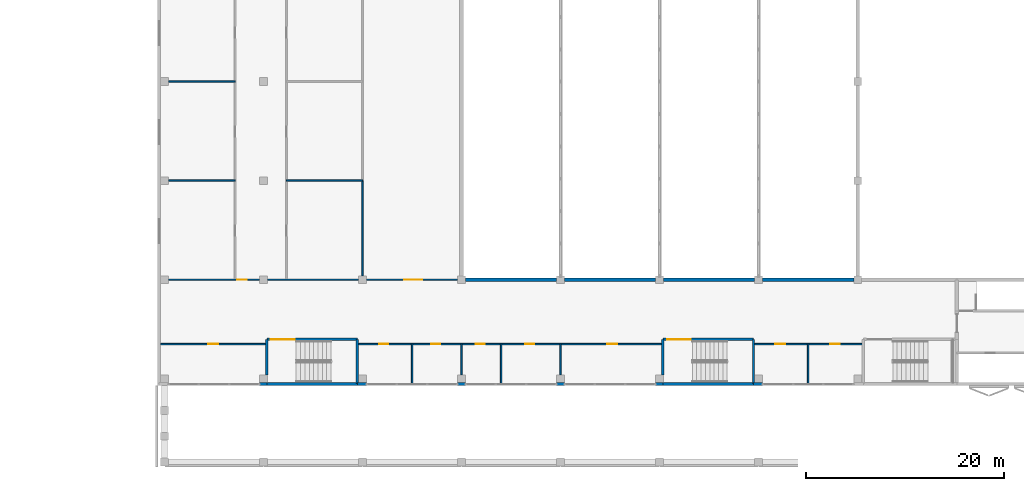
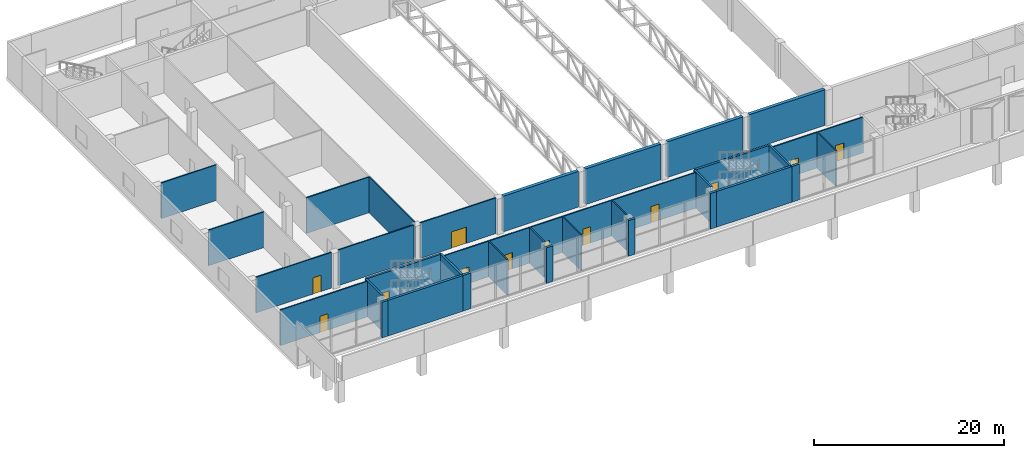
# One storey, part 16 of 36: 33 walls, 12 doors, 12 openings.
"""IFC4 building model written with IfcOpenShell, lengths in metres."""

from ifc_helpers import new_model, si_unit, direction, frame, frame_2d, origin, place, context, subcontext, project, spatial, rectangle, extrude, material, layer, layer_set, type_object, element, fill, save


model = new_model("IFC4")

# Units and contexts
model_context = context("Model", 3, precision=1e-05, world=origin(), true_north=direction((0.0, 1.0)))
body_context = subcontext(model_context, "Body", "Model", "MODEL_VIEW")
ifc_project = project(units=[si_unit("LENGTHUNIT", "METRE"), si_unit("AREAUNIT", "SQUARE_METRE"), si_unit("VOLUMEUNIT", "CUBIC_METRE"), si_unit("PLANEANGLEUNIT", "RADIAN"), si_unit("MASSUNIT", "GRAM", prefix="KILO")], contexts=[model_context])

# Site, building, storey
site_placement = place(None, origin())
site = spatial("IfcSite", under=ifc_project, at=site_placement, CompositionType="ELEMENT")
building_placement = place(site_placement, origin())
building = spatial("IfcBuilding", under=site, at=building_placement, Name="Jabali Bay Hotel Tower and Convention Centre", CompositionType="ELEMENT")
storey_placement = place(building_placement, frame((0.0, 0.0, 20.39990234375)))
storey = spatial("IfcBuildingStorey", under=building, at=storey_placement, Name="L03", CompositionType="ELEMENT", Elevation=20.39990234375)

# Walls
ifc_material_1 = material(Name="Concrete C40", Category="concrete")
ifc_layer_1 = layer(ifc_material_1, 0.300048828125)
ifc_layer_set_1 = layer_set([ifc_layer_1], Name="Concrete C40")
wall_type_1 = type_object("IfcWallType", Name="CC External Wall 300", PredefinedType="SOLIDWALL", material=ifc_layer_set_1)
wall_1_placement = place(storey_placement, frame((160.300048828125, 49.449951171875, 0.0), z_axis=(0.0, 0.0, 1.0), x_axis=(1.0, 0.0, 0.0)))
element("IfcWall", 1, at=wall_1_placement, inside=storey, type_object=wall_type_1, Name="CC wall 311", PredefinedType="SOLIDWALL", context=body_context, shape_type="SweptSolid", body=[
    extrude(rectangle(XDim=0.724853515625, YDim=0.300048828125, at=frame_2d((0.3623046875, 0.0))), origin(), (0.0, 0.0, 1.0), 4.590087890625),
])
wall_2_placement = place(storey_placement, frame((161.02490234375, 49.449951171875, 0.0), z_axis=(0.0, 0.0, 1.0), x_axis=(1.0, 0.0, 0.0)))
element("IfcWall", 2, at=wall_2_placement, inside=storey, type_object=wall_type_1, Name="CC wall 312", PredefinedType="SOLIDWALL", context=body_context, shape_type="SweptSolid", body=[
    extrude(rectangle(XDim=9.150146484375, YDim=0.300048828125, at=frame_2d((4.5751953125, 0.0))), origin(), (0.0, 0.0, 1.0), 4.590087890625),
])
wall_3_placement = place(storey_placement, frame((170.175048828125, 49.449951171875, 0.0), z_axis=(0.0, 0.0, 1.0), x_axis=(1.0, 0.0, 0.0)))
element("IfcWall", 3, at=wall_3_placement, inside=storey, type_object=wall_type_1, Name="CC wall 313", PredefinedType="SOLIDWALL", context=body_context, shape_type="SweptSolid", body=[
    extrude(rectangle(XDim=0.925048828125, YDim=0.300048828125, at=frame_2d((0.46240234375, 0.0))), origin(), (0.0, 0.0, 1.0), 4.590087890625),
])
for number, where, z_axis, x_axis, name in (
    (4, (180.300048828125, 49.449951171875, 0.0), (0.0, 0.0, 1.0), (1.0, 0.0, 0.0), "CC wall 314"),
    (5, (190.300048828125, 49.449951171875, 0.0), (0.0, 0.0, 1.0), (1.0, 0.0, 0.0), "CC wall 315"),
):
    element("IfcWall", number, at=place(storey_placement, frame(where, z_axis=z_axis, x_axis=x_axis)), inside=storey, type_object=wall_type_1, Name=name, PredefinedType="SOLIDWALL", context=body_context, shape_type="SweptSolid", body=[
        extrude(rectangle(XDim=0.800048828125, YDim=0.300048828125, at=frame_2d((0.39990234375, 0.0))), origin(), (0.0, 0.0, 1.0), 4.590087890625),
    ])
wall_4_placement = place(storey_placement, frame((200.300048828125, 49.449951171875, 0.0), z_axis=(0.0, 0.0, 1.0), x_axis=(1.0, 0.0, 0.0)))
element("IfcWall", 6, at=wall_4_placement, inside=storey, type_object=wall_type_1, Name="CC wall 316", PredefinedType="SOLIDWALL", context=body_context, shape_type="SweptSolid", body=[
    extrude(rectangle(XDim=0.724853515625, YDim=0.300048828125, at=frame_2d((0.3623046875, 0.0))), origin(), (0.0, 0.0, 1.0), 4.590087890625),
])
wall_5_placement = place(storey_placement, frame((201.02490234375, 49.449951171875, 0.0), z_axis=(0.0, 0.0, 1.0), x_axis=(1.0, 0.0, 0.0)))
element("IfcWall", 7, at=wall_5_placement, inside=storey, type_object=wall_type_1, Name="CC wall 317", PredefinedType="SOLIDWALL", context=body_context, shape_type="SweptSolid", body=[
    extrude(rectangle(XDim=9.150146484375, YDim=0.300048828125, at=frame_2d((4.5751953125, 0.0))), origin(), (0.0, 0.0, 1.0), 4.590087890625),
])
wall_6_placement = place(storey_placement, frame((210.175048828125, 49.449951171875, 0.0), z_axis=(0.0, 0.0, 1.0), x_axis=(1.0, 0.0, 0.0)))
element("IfcWall", 8, at=wall_6_placement, inside=storey, type_object=wall_type_1, Name="CC wall 318", PredefinedType="SOLIDWALL", context=body_context, shape_type="SweptSolid", body=[
    extrude(rectangle(XDim=0.925048828125, YDim=0.300048828125, at=frame_2d((0.46240234375, 0.0))), origin(), (0.0, 0.0, 1.0), 4.590087890625),
])
ifc_layer_2 = layer(ifc_material_1, 0.39990234375)
ifc_layer_set_2 = layer_set([ifc_layer_2], Name="Concrete C40")
wall_type_2 = type_object("IfcWallType", Name="CC Hall Wall 400", PredefinedType="SHEAR", material=ifc_layer_set_2)
for number, where, z_axis, x_axis, name in (
    (9, (181.10009765625, 60.0, 0.0), (0.0, 0.0, 1.0), (1.0, 0.0, 0.0), "CC ballroom wall"),
    (10, (191.10009765625, 60.0, 0.0), (0.0, 0.0, 1.0), (1.0, 0.0, 0.0), "CC ballroom wall"),
    (11, (201.10009765625, 60.0, 0.0), (0.0, 0.0, 1.0), (1.0, 0.0, 0.0), "CC ballroom wall"),
    (12, (211.10009765625, 60.0, 0.0), (0.0, 0.0, 1.0), (1.0, 0.0, 0.0), "CC ballroom wall"),
):
    element("IfcWall", number, at=place(storey_placement, frame(where, z_axis=z_axis, x_axis=x_axis)), inside=storey, type_object=wall_type_2, Name=name, PredefinedType="SHEAR", context=body_context, shape_type="SweptSolid", body=[
        extrude(rectangle(XDim=9.199951171875, YDim=0.39990234375, at=frame_2d((4.60009765625, 0.0))), origin(), (0.0, 0.0, 1.0), 4.590087890625),
    ])

# Wall, opening, door
ifc_material_2 = material(Name="Blockwork M10", Category="masonry")
ifc_layer_3 = layer(ifc_material_2, 0.14990234375)
ifc_layer_set_3 = layer_set([ifc_layer_3], Name="Blockwork M10")
wall_type_3 = type_object("IfcWallType", Name="CC Partition 150", PredefinedType="PARTITIONING", material=ifc_layer_set_3)
wall_7_placement = place(storey_placement, frame((150.300048828125, 53.5, 0.0), z_axis=(0.0, 0.0, 1.0), x_axis=(1.0, 0.0, 0.0)))
wall_7 = element("IfcWall", 13, at=wall_7_placement, inside=storey, type_object=wall_type_3, Name="CC wall 458", PredefinedType="PARTITIONING", context=body_context, shape_type="SweptSolid", body=[
    extrude(rectangle(XDim=10.724853515625, YDim=0.14990234375, at=frame_2d((5.3623046875, 0.0))), origin(), (0.0, 0.0, 1.0), 4.590087890625),
])
opening_1_placement = place(wall_7_placement, frame((4.800048828125, 0.0, 0.0)))
opening_1 = element("IfcOpeningElement", 14, at=opening_1_placement, cuts=wall_7, Name="Opening CC-D050", PredefinedType="OPENING", context=body_context, shape_type="SweptSolid", body=[
    extrude(rectangle(XDim=1.0, YDim=2.10009765625, at=frame_2d((0.5, 1.050048828125))), frame((0.0, 0.08544921875, 0.0), z_axis=(0.0, -1.0, 0.0), x_axis=(1.0, 0.0, 0.0)), (0.0, 0.0, 1.0), 0.1708984375),
])
ifc_material_3 = material(Name="Timber and steel door set", Category="steel")
door_type_1 = type_object("IfcDoorType", Name="CC Single Door 1000x2100", OperationType="NOTDEFINED", PredefinedType="DOOR", material=ifc_material_3)
door_1_placement = place(opening_1_placement, origin())
door_1 = element("IfcDoor", 15, at=door_1_placement, inside=storey, type_object=door_type_1, Name="CC door CC-D050", OperationType="SINGLE_SWING_RIGHT", OverallHeight=2.10009765625, OverallWidth=1.0, PredefinedType="DOOR", context=body_context, shape_type="SweptSolid", body=[
    extrude(rectangle(XDim=1.0, YDim=2.10009765625, at=frame_2d((0.5, 1.050048828125))), frame((0.0, 0.02490234375, 0.0), z_axis=(0.0, -1.0, 0.0), x_axis=(1.0, 0.0, 0.0)), (0.0, 0.0, 1.0), 0.050048828125),
])
fill(opening_1, door_1)

# Wall, openings, doors
wall_8_placement = place(storey_placement, frame((170.175048828125, 53.5, 0.0), z_axis=(0.0, 0.0, 1.0), x_axis=(1.0, 0.0, 0.0)))
wall_8 = element("IfcWall", 16, at=wall_8_placement, inside=storey, type_object=wall_type_3, Name="CC wall 459", PredefinedType="PARTITIONING", context=body_context, shape_type="SweptSolid", body=[
    extrude(rectangle(XDim=30.849853515625, YDim=0.14990234375, at=frame_2d((15.4248046875, 0.0))), origin(), (0.0, 0.0, 1.0), 4.590087890625),
])
opening_2_placement = place(wall_8_placement, frame((11.97509765625, 0.0, 0.0)))
opening_2 = element("IfcOpeningElement", 17, at=opening_2_placement, cuts=wall_8, Name="Opening CC-D048", PredefinedType="OPENING", context=body_context, shape_type="SweptSolid", body=[
    extrude(rectangle(XDim=0.89990234375, YDim=2.10009765625, at=frame_2d((0.449951171875, 1.050048828125))), frame((0.0, 0.08544921875, 0.0), z_axis=(0.0, -1.0, 0.0), x_axis=(1.0, 0.0, 0.0)), (0.0, 0.0, 1.0), 0.1708984375),
])
opening_3_placement = place(wall_8_placement, frame((16.97509765625, 0.0, 0.0)))
opening_3 = element("IfcOpeningElement", 18, at=opening_3_placement, cuts=wall_8, Name="Opening CC-D049", PredefinedType="OPENING", context=body_context, shape_type="SweptSolid", body=[
    extrude(rectangle(XDim=0.89990234375, YDim=2.10009765625, at=frame_2d((0.449951171875, 1.050048828125))), frame((0.0, 0.08544921875, 0.0), z_axis=(0.0, -1.0, 0.0), x_axis=(1.0, 0.0, 0.0)), (0.0, 0.0, 1.0), 0.1708984375),
])
opening_4_placement = place(wall_8_placement, frame((25.22509765625, 0.0, 0.0)))
opening_4 = element("IfcOpeningElement", 19, at=opening_4_placement, cuts=wall_8, Name="Opening CC-D051", PredefinedType="OPENING", context=body_context, shape_type="SweptSolid", body=[
    extrude(rectangle(XDim=1.0, YDim=2.10009765625, at=frame_2d((0.5, 1.050048828125))), frame((0.0, 0.08544921875, 0.0), z_axis=(0.0, -1.0, 0.0), x_axis=(1.0, 0.0, 0.0)), (0.0, 0.0, 1.0), 0.1708984375),
])
opening_5_placement = place(wall_8_placement, frame((7.47509765625, 0.0, 0.0)))
opening_5 = element("IfcOpeningElement", 20, at=opening_5_placement, cuts=wall_8, Name="Opening CC-D052", PredefinedType="OPENING", context=body_context, shape_type="SweptSolid", body=[
    extrude(rectangle(XDim=0.89990234375, YDim=2.10009765625, at=frame_2d((0.449951171875, 1.050048828125))), frame((0.0, 0.08544921875, 0.0), z_axis=(0.0, -1.0, 0.0), x_axis=(1.0, 0.0, 0.0)), (0.0, 0.0, 1.0), 0.1708984375),
])
opening_6_placement = place(wall_8_placement, frame((2.199951171875, 0.0, 0.0)))
opening_6 = element("IfcOpeningElement", 21, at=opening_6_placement, cuts=wall_8, Name="Opening CC-D055", PredefinedType="OPENING", context=body_context, shape_type="SweptSolid", body=[
    extrude(rectangle(XDim=0.89990234375, YDim=2.10009765625, at=frame_2d((0.449951171875, 1.050048828125))), frame((0.0, 0.08544921875, 0.0), z_axis=(0.0, -1.0, 0.0), x_axis=(1.0, 0.0, 0.0)), (0.0, 0.0, 1.0), 0.1708984375),
])
door_type_2 = type_object("IfcDoorType", Name="CC Riser Door 900x2100", OperationType="NOTDEFINED", PredefinedType="DOOR", material=ifc_material_3)
door_2_placement = place(opening_3_placement, origin())
door_2 = element("IfcDoor", 22, at=door_2_placement, inside=storey, type_object=door_type_2, Name="CC door CC-D049", OperationType="SINGLE_SWING_LEFT", OverallHeight=2.10009765625, OverallWidth=0.89990234375, PredefinedType="DOOR", context=body_context, shape_type="SweptSolid", body=[
    extrude(rectangle(XDim=0.89990234375, YDim=2.10009765625, at=frame_2d((0.449951171875, 1.050048828125))), frame((0.0, 0.02490234375, 0.0), z_axis=(0.0, -1.0, 0.0), x_axis=(1.0, 0.0, 0.0)), (0.0, 0.0, 1.0), 0.050048828125),
])
fill(opening_3, door_2)
door_3_placement = place(opening_4_placement, origin())
door_3 = element("IfcDoor", 23, at=door_3_placement, inside=storey, type_object=door_type_1, Name="CC door CC-D051", OperationType="SINGLE_SWING_LEFT", OverallHeight=2.10009765625, OverallWidth=1.0, PredefinedType="DOOR", context=body_context, shape_type="SweptSolid", body=[
    extrude(rectangle(XDim=1.0, YDim=2.10009765625, at=frame_2d((0.5, 1.050048828125))), frame((0.0, 0.02490234375, 0.0), z_axis=(0.0, -1.0, 0.0), x_axis=(1.0, 0.0, 0.0)), (0.0, 0.0, 1.0), 0.050048828125),
])
fill(opening_4, door_3)
door_type_3 = type_object("IfcDoorType", Name="CC Single Door 900x2100", OperationType="NOTDEFINED", PredefinedType="DOOR", material=ifc_material_3)
door_4_placement = place(opening_2_placement, origin())
door_4 = element("IfcDoor", 24, at=door_4_placement, inside=storey, type_object=door_type_3, Name="CC door CC-D048", OperationType="SINGLE_SWING_RIGHT", OverallHeight=2.10009765625, OverallWidth=0.89990234375, PredefinedType="DOOR", context=body_context, shape_type="SweptSolid", body=[
    extrude(rectangle(XDim=0.89990234375, YDim=2.10009765625, at=frame_2d((0.449951171875, 1.050048828125))), frame((0.0, 0.02490234375, 0.0), z_axis=(0.0, -1.0, 0.0), x_axis=(1.0, 0.0, 0.0)), (0.0, 0.0, 1.0), 0.050048828125),
])
fill(opening_2, door_4)
door_5_placement = place(opening_5_placement, origin())
door_5 = element("IfcDoor", 25, at=door_5_placement, inside=storey, type_object=door_type_3, Name="CC door CC-D052", OperationType="SINGLE_SWING_RIGHT", OverallHeight=2.10009765625, OverallWidth=0.89990234375, PredefinedType="DOOR", context=body_context, shape_type="SweptSolid", body=[
    extrude(rectangle(XDim=0.89990234375, YDim=2.10009765625, at=frame_2d((0.449951171875, 1.050048828125))), frame((0.0, 0.02490234375, 0.0), z_axis=(0.0, -1.0, 0.0), x_axis=(1.0, 0.0, 0.0)), (0.0, 0.0, 1.0), 0.050048828125),
])
fill(opening_5, door_5)
door_6_placement = place(opening_6_placement, origin())
door_6 = element("IfcDoor", 26, at=door_6_placement, inside=storey, type_object=door_type_3, Name="CC door CC-D055", OperationType="SINGLE_SWING_LEFT", OverallHeight=2.10009765625, OverallWidth=0.89990234375, PredefinedType="DOOR", context=body_context, shape_type="SweptSolid", body=[
    extrude(rectangle(XDim=0.89990234375, YDim=2.10009765625, at=frame_2d((0.449951171875, 1.050048828125))), frame((0.0, 0.02490234375, 0.0), z_axis=(0.0, -1.0, 0.0), x_axis=(1.0, 0.0, 0.0)), (0.0, 0.0, 1.0), 0.050048828125),
])
fill(opening_6, door_6)

wall_9_placement = place(storey_placement, frame((210.175048828125, 53.5, 0.0), z_axis=(0.0, 0.0, 1.0), x_axis=(1.0, 0.0, 0.0)))
wall_9 = element("IfcWall", 27, at=wall_9_placement, inside=storey, type_object=wall_type_3, Name="CC wall 460", PredefinedType="PARTITIONING", context=body_context, shape_type="SweptSolid", body=[
    extrude(rectangle(XDim=11.099853515625, YDim=0.14990234375, at=frame_2d((5.5498046875, 0.0))), origin(), (0.0, 0.0, 1.0), 4.590087890625),
])
opening_7_placement = place(wall_9_placement, frame((2.199951171875, 0.0, 0.0)))
opening_7 = element("IfcOpeningElement", 28, at=opening_7_placement, cuts=wall_9, Name="Opening CC-D053", PredefinedType="OPENING", context=body_context, shape_type="SweptSolid", body=[
    extrude(rectangle(XDim=1.0, YDim=2.10009765625, at=frame_2d((0.5, 1.050048828125))), frame((0.0, 0.08544921875, 0.0), z_axis=(0.0, -1.0, 0.0), x_axis=(1.0, 0.0, 0.0)), (0.0, 0.0, 1.0), 0.1708984375),
])
opening_8_placement = place(wall_9_placement, frame((7.72509765625, 0.0, 0.0)))
opening_8 = element("IfcOpeningElement", 29, at=opening_8_placement, cuts=wall_9, Name="Opening CC-D054", PredefinedType="OPENING", context=body_context, shape_type="SweptSolid", body=[
    extrude(rectangle(XDim=1.0, YDim=2.10009765625, at=frame_2d((0.5, 1.050048828125))), frame((0.0, 0.08544921875, 0.0), z_axis=(0.0, -1.0, 0.0), x_axis=(1.0, 0.0, 0.0)), (0.0, 0.0, 1.0), 0.1708984375),
])
door_7_placement = place(opening_7_placement, origin())
door_7 = element("IfcDoor", 30, at=door_7_placement, inside=storey, type_object=door_type_1, Name="CC door CC-D053", OperationType="SINGLE_SWING_LEFT", OverallHeight=2.10009765625, OverallWidth=1.0, PredefinedType="DOOR", context=body_context, shape_type="SweptSolid", body=[
    extrude(rectangle(XDim=1.0, YDim=2.10009765625, at=frame_2d((0.5, 1.050048828125))), frame((0.0, 0.02490234375, 0.0), z_axis=(0.0, -1.0, 0.0), x_axis=(1.0, 0.0, 0.0)), (0.0, 0.0, 1.0), 0.050048828125),
])
fill(opening_7, door_7)
door_8_placement = place(opening_8_placement, origin())
door_8 = element("IfcDoor", 31, at=door_8_placement, inside=storey, type_object=door_type_1, Name="CC door CC-D054", OperationType="SINGLE_SWING_RIGHT", OverallHeight=2.10009765625, OverallWidth=1.0, PredefinedType="DOOR", context=body_context, shape_type="SweptSolid", body=[
    extrude(rectangle(XDim=1.0, YDim=2.10009765625, at=frame_2d((0.5, 1.050048828125))), frame((0.0, 0.02490234375, 0.0), z_axis=(0.0, -1.0, 0.0), x_axis=(1.0, 0.0, 0.0)), (0.0, 0.0, 1.0), 0.050048828125),
])
fill(opening_8, door_8)

# Wall, opening, door
wall_10_placement = place(storey_placement, frame((160.300048828125, 60.0, 0.0), z_axis=(0.0, 0.0, 1.0), x_axis=(-1.0, 0.0, 0.0)))
wall_10 = element("IfcWall", 32, at=wall_10_placement, inside=storey, type_object=wall_type_3, Name="CC wall 461", PredefinedType="PARTITIONING", context=body_context, shape_type="SweptSolid", body=[
    extrude(rectangle(XDim=9.199951171875, YDim=0.14990234375, at=frame_2d((4.60009765625, 0.0))), origin(), (0.0, 0.0, 1.0), 4.590087890625),
])
opening_9_placement = place(wall_10_placement, frame((1.27490234375, 0.0, 0.0)))
opening_9 = element("IfcOpeningElement", 33, at=opening_9_placement, cuts=wall_10, Name="Opening CC-D056", PredefinedType="OPENING", context=body_context, shape_type="SweptSolid", body=[
    extrude(rectangle(XDim=1.0, YDim=2.10009765625, at=frame_2d((0.5, 1.050048828125))), frame((0.0, 0.08544921875, 0.0), z_axis=(0.0, -1.0, 0.0), x_axis=(1.0, 0.0, 0.0)), (0.0, 0.0, 1.0), 0.1708984375),
])
door_9_placement = place(opening_9_placement, origin())
door_9 = element("IfcDoor", 34, at=door_9_placement, inside=storey, type_object=door_type_1, Name="CC door CC-D056", OperationType="SINGLE_SWING_RIGHT", OverallHeight=2.10009765625, OverallWidth=1.0, PredefinedType="DOOR", context=body_context, shape_type="SweptSolid", body=[
    extrude(rectangle(XDim=1.0, YDim=2.10009765625, at=frame_2d((0.5, 1.050048828125))), frame((0.0, 0.02490234375, 0.0), z_axis=(0.0, -1.0, 0.0), x_axis=(1.0, 0.0, 0.0)), (0.0, 0.0, 1.0), 0.050048828125),
])
fill(opening_9, door_9)

# Wall
wall_11_placement = place(storey_placement, frame((161.10009765625, 60.0, 0.0), z_axis=(0.0, 0.0, 1.0), x_axis=(1.0, 0.0, 0.0)))
element("IfcWall", 35, at=wall_11_placement, inside=storey, type_object=wall_type_3, Name="CC wall 462", PredefinedType="PARTITIONING", context=body_context, shape_type="SweptSolid", body=[
    extrude(rectangle(XDim=9.199951171875, YDim=0.14990234375, at=frame_2d((4.60009765625, 0.0))), origin(), (0.0, 0.0, 1.0), 4.590087890625),
])

# Wall, opening, door
wall_12_placement = place(storey_placement, frame((180.300048828125, 60.0, 0.0), z_axis=(0.0, 0.0, 1.0), x_axis=(-1.0, 0.0, 0.0)))
wall_12 = element("IfcWall", 36, at=wall_12_placement, inside=storey, type_object=wall_type_3, Name="CC wall 463", PredefinedType="PARTITIONING", context=body_context, shape_type="SweptSolid", body=[
    extrude(rectangle(XDim=9.199951171875, YDim=0.14990234375, at=frame_2d((4.60009765625, 0.0))), origin(), (0.0, 0.0, 1.0), 4.590087890625),
])
opening_10_placement = place(wall_12_placement, frame((3.60009765625, 0.0, 0.0)))
opening_10 = element("IfcOpeningElement", 37, at=opening_10_placement, cuts=wall_12, Name="Opening CC-D125", PredefinedType="OPENING", context=body_context, shape_type="SweptSolid", body=[
    extrude(rectangle(XDim=1.800048828125, YDim=2.10009765625, at=frame_2d((0.89990234375, 1.050048828125))), frame((0.0, 0.08544921875, 0.0), z_axis=(0.0, -1.0, 0.0), x_axis=(1.0, 0.0, 0.0)), (0.0, 0.0, 1.0), 0.1708984375),
])
door_type_4 = type_object("IfcDoorType", Name="CC Double Door 1800x2100", OperationType="NOTDEFINED", PredefinedType="DOOR", material=ifc_material_3)
door_10_placement = place(opening_10_placement, origin())
door_10 = element("IfcDoor", 38, at=door_10_placement, inside=storey, type_object=door_type_4, Name="CC door CC-D125", OperationType="DOUBLE_DOOR_SINGLE_SWING", OverallHeight=2.10009765625, OverallWidth=1.800048828125, PredefinedType="DOOR", context=body_context, shape_type="SweptSolid", body=[
    extrude(rectangle(XDim=1.800048828125, YDim=2.10009765625, at=frame_2d((0.89990234375, 1.050048828125))), frame((0.0, 0.02490234375, 0.0), z_axis=(0.0, -1.0, 0.0), x_axis=(1.0, 0.0, 0.0)), (0.0, 0.0, 1.0), 0.050048828125),
])
fill(opening_10, door_10)

# Walls
wall_13_placement = place(storey_placement, frame((175.699951171875, 49.5, 0.0), z_axis=(0.0, 0.0, 1.0), x_axis=(0.0, 1.0, 0.0)))
element("IfcWall", 39, at=wall_13_placement, inside=storey, type_object=wall_type_3, Name="CC wall 472", PredefinedType="PARTITIONING", context=body_context, shape_type="SweptSolid", body=[
    extrude(rectangle(XDim=4.0, YDim=0.14990234375, at=frame_2d((2.0, 0.0))), origin(), (0.0, 0.0, 1.0), 4.590087890625),
])
wall_14_placement = place(storey_placement, frame((180.699951171875, 50.39990234375, 0.0), z_axis=(0.0, 0.0, 1.0), x_axis=(0.0, 1.0, 0.0)))
element("IfcWall", 40, at=wall_14_placement, inside=storey, type_object=wall_type_3, Name="CC wall 473", PredefinedType="PARTITIONING", context=body_context, shape_type="SweptSolid", body=[
    extrude(rectangle(XDim=3.10009765625, YDim=0.14990234375, at=frame_2d((1.550048828125, 0.0))), origin(), (0.0, 0.0, 1.0), 4.590087890625),
])
wall_15_placement = place(storey_placement, frame((184.699951171875, 49.5, 0.0), z_axis=(0.0, 0.0, 1.0), x_axis=(0.0, 1.0, 0.0)))
element("IfcWall", 41, at=wall_15_placement, inside=storey, type_object=wall_type_3, Name="CC wall 474", PredefinedType="PARTITIONING", context=body_context, shape_type="SweptSolid", body=[
    extrude(rectangle(XDim=4.0, YDim=0.14990234375, at=frame_2d((2.0, 0.0))), origin(), (0.0, 0.0, 1.0), 4.590087890625),
])
wall_16_placement = place(storey_placement, frame((190.699951171875, 50.39990234375, 0.0), z_axis=(0.0, 0.0, 1.0), x_axis=(0.0, 1.0, 0.0)))
element("IfcWall", 42, at=wall_16_placement, inside=storey, type_object=wall_type_3, Name="CC wall 475", PredefinedType="PARTITIONING", context=body_context, shape_type="SweptSolid", body=[
    extrude(rectangle(XDim=3.10009765625, YDim=0.14990234375, at=frame_2d((1.550048828125, 0.0))), origin(), (0.0, 0.0, 1.0), 4.590087890625),
])
wall_17_placement = place(storey_placement, frame((215.699951171875, 49.5, 0.0), z_axis=(0.0, 0.0, 1.0), x_axis=(0.0, 1.0, 0.0)))
element("IfcWall", 43, at=wall_17_placement, inside=storey, type_object=wall_type_3, Name="CC wall 476", PredefinedType="PARTITIONING", context=body_context, shape_type="SweptSolid", body=[
    extrude(rectangle(XDim=4.0, YDim=0.14990234375, at=frame_2d((2.0, 0.0))), origin(), (0.0, 0.0, 1.0), 4.590087890625),
])
wall_18_placement = place(storey_placement, frame((151.10009765625, 70.0, 0.0), z_axis=(0.0, 0.0, 1.0), x_axis=(1.0, 0.0, 0.0)))
element("IfcWall", 44, at=wall_18_placement, inside=storey, type_object=wall_type_3, Name="CC wall 479", PredefinedType="PARTITIONING", context=body_context, shape_type="SweptSolid", body=[
    extrude(rectangle(XDim=6.724853515625, YDim=0.14990234375, at=frame_2d((3.3623046875, 0.0))), origin(), (0.0, 0.0, 1.0), 4.590087890625),
])
wall_19_placement = place(storey_placement, frame((163.0, 70.0, 0.0), z_axis=(0.0, 0.0, 1.0), x_axis=(1.0, 0.0, 0.0)))
element("IfcWall", 45, at=wall_19_placement, inside=storey, type_object=wall_type_3, Name="CC wall 480", PredefinedType="PARTITIONING", context=body_context, shape_type="SweptSolid", body=[
    extrude(rectangle(XDim=7.699951171875, YDim=0.14990234375, at=frame_2d((3.85009765625, 0.0))), origin(), (0.0, 0.0, 1.0), 4.590087890625),
])
wall_20_placement = place(storey_placement, frame((170.699951171875, 60.39990234375, 0.0), z_axis=(0.0, 0.0, 1.0), x_axis=(0.0, 1.0, 0.0)))
element("IfcWall", 46, at=wall_20_placement, inside=storey, type_object=wall_type_3, Name="CC wall 481", PredefinedType="PARTITIONING", context=body_context, shape_type="SweptSolid", body=[
    extrude(rectangle(XDim=9.60009765625, YDim=0.14990234375, at=frame_2d((4.800048828125, 0.0))), origin(), (0.0, 0.0, 1.0), 4.590087890625),
])
wall_21_placement = place(storey_placement, frame((151.10009765625, 80.0, 0.0), z_axis=(0.0, 0.0, 1.0), x_axis=(1.0, 0.0, 0.0)))
element("IfcWall", 47, at=wall_21_placement, inside=storey, type_object=wall_type_3, Name="CC wall 482", PredefinedType="PARTITIONING", context=body_context, shape_type="SweptSolid", body=[
    extrude(rectangle(XDim=6.724853515625, YDim=0.14990234375, at=frame_2d((3.3623046875, 0.0))), origin(), (0.0, 0.0, 1.0), 4.590087890625),
])

# Wall, opening, door
ifc_layer_4 = layer(ifc_material_1, 0.25)
ifc_layer_set_4 = layer_set([ifc_layer_4], Name="Concrete C40")
wall_type_4 = type_object("IfcWallType", Name="CC Shaft Wall 250", PredefinedType="SHEAR", material=ifc_layer_set_4)
wall_22_placement = place(storey_placement, frame((161.02490234375, 53.97509765625, 0.0), z_axis=(0.0, 0.0, 1.0), x_axis=(1.0, 0.0, 0.0)))
wall_22 = element("IfcWall", 48, at=wall_22_placement, inside=storey, type_object=wall_type_4, Name="CC wall 464", PredefinedType="SHEAR", context=body_context, shape_type="SweptSolid", body=[
    extrude(rectangle(XDim=9.150146484375, YDim=0.25, at=frame_2d((4.5751953125, 0.0))), origin(), (0.0, 0.0, 1.0), 4.590087890625),
])
opening_11_placement = place(wall_22_placement, frame((0.425048828125, 0.0, 0.0)))
opening_11 = element("IfcOpeningElement", 49, at=opening_11_placement, cuts=wall_22, Name="Opening CC-D216", PredefinedType="OPENING", context=body_context, shape_type="SweptSolid", body=[
    extrude(rectangle(XDim=2.39990234375, YDim=2.10009765625, at=frame_2d((1.199951171875, 1.050048828125))), frame((0.0, 0.135498046875, 0.0), z_axis=(0.0, -1.0, 0.0), x_axis=(1.0, 0.0, 0.0)), (0.0, 0.0, 1.0), 0.27099609375),
])
door_type_5 = type_object("IfcDoorType", Name="CC Stair Door Pair 2400x2100", OperationType="NOTDEFINED", PredefinedType="DOOR", material=ifc_material_3)
door_11_placement = place(opening_11_placement, origin())
door_11 = element("IfcDoor", 50, at=door_11_placement, inside=storey, type_object=door_type_5, Name="CC door CC-D216", OperationType="DOUBLE_DOOR_SINGLE_SWING", OverallHeight=2.10009765625, OverallWidth=2.39990234375, PredefinedType="DOOR", context=body_context, shape_type="SweptSolid", body=[
    extrude(rectangle(XDim=2.39990234375, YDim=2.10009765625, at=frame_2d((1.199951171875, 1.050048828125))), frame((0.0, 0.02490234375, 0.0), z_axis=(0.0, -1.0, 0.0), x_axis=(1.0, 0.0, 0.0)), (0.0, 0.0, 1.0), 0.050048828125),
])
fill(opening_11, door_11)

# Walls
wall_23_placement = place(storey_placement, frame((161.02490234375, 50.39990234375, 0.0), z_axis=(0.0, 0.0, 1.0), x_axis=(0.0, 1.0, 0.0)))
element("IfcWall", 51, at=wall_23_placement, inside=storey, type_object=wall_type_4, Name="CC wall 465", PredefinedType="SHEAR", context=body_context, shape_type="SweptSolid", body=[
    extrude(rectangle(XDim=3.5751953125, YDim=0.25, at=frame_2d((1.78759765625, 0.0))), origin(), (0.0, 0.0, 1.0), 4.590087890625),
])
wall_24_placement = place(storey_placement, frame((170.175048828125, 49.5, 0.0), z_axis=(0.0, 0.0, 1.0), x_axis=(0.0, 1.0, 0.0)))
element("IfcWall", 52, at=wall_24_placement, inside=storey, type_object=wall_type_4, Name="CC wall 466", PredefinedType="SHEAR", context=body_context, shape_type="SweptSolid", body=[
    extrude(rectangle(XDim=4.47509765625, YDim=0.25, at=frame_2d((2.237548828125, 0.0))), origin(), (0.0, 0.0, 1.0), 4.590087890625),
])

# Wall, opening, door
wall_25_placement = place(storey_placement, frame((201.02490234375, 53.97509765625, 0.0), z_axis=(0.0, 0.0, 1.0), x_axis=(1.0, 0.0, 0.0)))
wall_25 = element("IfcWall", 53, at=wall_25_placement, inside=storey, type_object=wall_type_4, Name="CC wall 467", PredefinedType="SHEAR", context=body_context, shape_type="SweptSolid", body=[
    extrude(rectangle(XDim=9.150146484375, YDim=0.25, at=frame_2d((4.5751953125, 0.0))), origin(), (0.0, 0.0, 1.0), 4.590087890625),
])
opening_12_placement = place(wall_25_placement, frame((0.425048828125, 0.0, 0.0)))
opening_12 = element("IfcOpeningElement", 54, at=opening_12_placement, cuts=wall_25, Name="Opening CC-D222", PredefinedType="OPENING", context=body_context, shape_type="SweptSolid", body=[
    extrude(rectangle(XDim=2.39990234375, YDim=2.10009765625, at=frame_2d((1.199951171875, 1.050048828125))), frame((0.0, 0.135498046875, 0.0), z_axis=(0.0, -1.0, 0.0), x_axis=(1.0, 0.0, 0.0)), (0.0, 0.0, 1.0), 0.27099609375),
])
door_12_placement = place(opening_12_placement, origin())
door_12 = element("IfcDoor", 55, at=door_12_placement, inside=storey, type_object=door_type_5, Name="CC door CC-D222", OperationType="DOUBLE_DOOR_SINGLE_SWING", OverallHeight=2.10009765625, OverallWidth=2.39990234375, PredefinedType="DOOR", context=body_context, shape_type="SweptSolid", body=[
    extrude(rectangle(XDim=2.39990234375, YDim=2.10009765625, at=frame_2d((1.199951171875, 1.050048828125))), frame((0.0, 0.02490234375, 0.0), z_axis=(0.0, -1.0, 0.0), x_axis=(1.0, 0.0, 0.0)), (0.0, 0.0, 1.0), 0.050048828125),
])
fill(opening_12, door_12)

# Walls
wall_26_placement = place(storey_placement, frame((201.02490234375, 50.39990234375, 0.0), z_axis=(0.0, 0.0, 1.0), x_axis=(0.0, 1.0, 0.0)))
element("IfcWall", 56, at=wall_26_placement, inside=storey, type_object=wall_type_4, Name="CC wall 468", PredefinedType="SHEAR", context=body_context, shape_type="SweptSolid", body=[
    extrude(rectangle(XDim=3.5751953125, YDim=0.25, at=frame_2d((1.78759765625, 0.0))), origin(), (0.0, 0.0, 1.0), 4.590087890625),
])
wall_27_placement = place(storey_placement, frame((210.175048828125, 49.5, 0.0), z_axis=(0.0, 0.0, 1.0), x_axis=(0.0, 1.0, 0.0)))
element("IfcWall", 57, at=wall_27_placement, inside=storey, type_object=wall_type_4, Name="CC wall 469", PredefinedType="SHEAR", context=body_context, shape_type="SweptSolid", body=[
    extrude(rectangle(XDim=4.47509765625, YDim=0.25, at=frame_2d((2.237548828125, 0.0))), origin(), (0.0, 0.0, 1.0), 4.590087890625),
])

save(model, "model.ifc")
